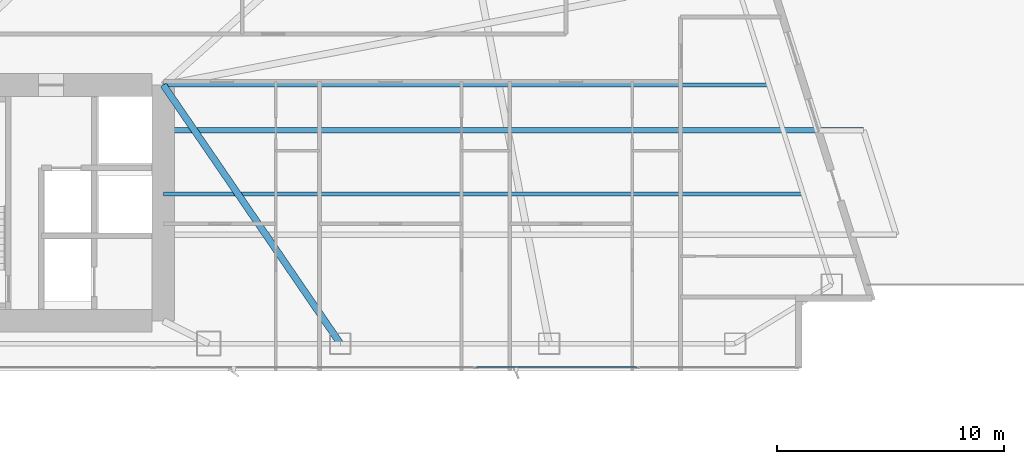
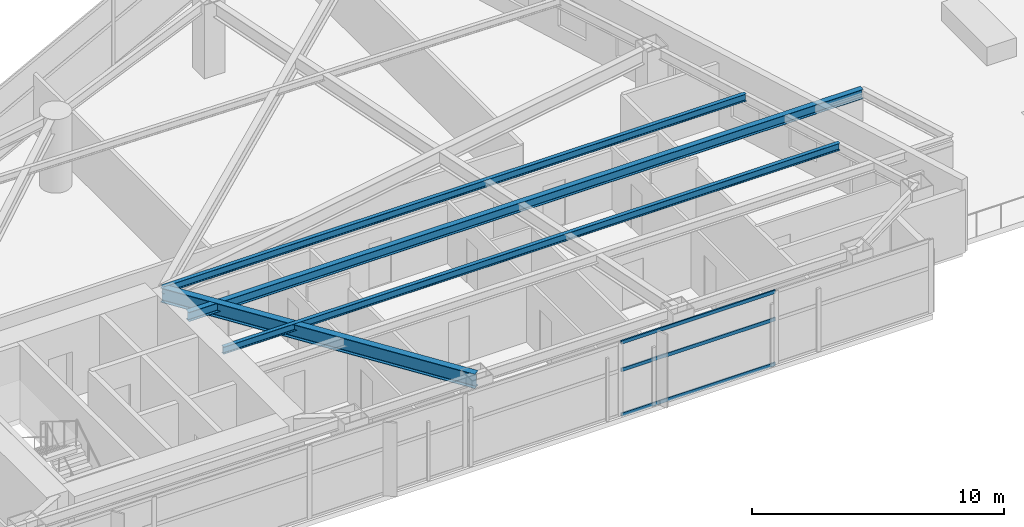
# One storey, part 13 of 30: 4 beams, 3 members, 1 element without a shape of its own.
"""IFC4 building model written with IfcOpenShell, lengths in metres."""

from ifc_helpers import new_model, si_unit, direction, frame, origin, origin_2d, place, context, subcontext, project, spatial, hollow_rectangle, i_section, extrude, material, layer, layer_set, material_profile, profile_set, type_object, element, aggregate, save


model = new_model("IFC4")

# Units and contexts
model_context = context("Model", 3, precision=1e-05, world=origin(), true_north=direction((0.0, 1.0)))
body_context = subcontext(model_context, "Body", "Model", "MODEL_VIEW")
ifc_project = project(units=[si_unit("LENGTHUNIT", "METRE"), si_unit("AREAUNIT", "SQUARE_METRE"), si_unit("VOLUMEUNIT", "CUBIC_METRE"), si_unit("PLANEANGLEUNIT", "RADIAN"), si_unit("MASSUNIT", "GRAM", prefix="KILO")], contexts=[model_context])

# Site, building, storey
site_placement = place(None, origin())
site = spatial("IfcSite", under=ifc_project, at=site_placement, CompositionType="ELEMENT")
building_placement = place(site_placement, origin())
building = spatial("IfcBuilding", under=site, at=building_placement, Name="Calvorn Quay Hotel", CompositionType="ELEMENT")
storey_placement = place(building_placement, frame((0.0, 0.0, 27.0)))
storey = spatial("IfcBuildingStorey", under=building, at=storey_placement, Name="L05", CompositionType="ELEMENT", Elevation=27.0)

# Beams
ifc_material_1 = material(Name="Steel Q355B", Category="steel")
ifc_material_profile_1 = material_profile(ifc_material_1, i_section(OverallWidth=0.25, OverallDepth=0.449951171875, WebThickness=0.011962890625, FlangeThickness=0.01611328125, FilletRadius=0.01611328125, at=origin_2d()), Name="HN450x250x12x16")
ifc_profile_set_1 = profile_set([ifc_material_profile_1], Name="Steel Q355B")
beam_type_1 = type_object("IfcBeamType", Name="BM-CANT-BALC", PredefinedType="BEAM", material=ifc_profile_set_1)
beam_1_placement = place(storey_placement, frame((32.39990234375, 13.0, 3.31494140625), z_axis=(1.0, 0.0, 0.0), x_axis=(0.0, 1.0, 0.0)))
element("IfcBeam", 1, at=beam_1_placement, inside=storey, type_object=beam_type_1, Name="Cantilever Balcony Beam BCB-L06-1B", PredefinedType="BEAM", context=body_context, shape_type="SweptSolid", body=[
    extrude(i_section(OverallWidth=0.25, OverallDepth=0.449951171875, WebThickness=0.011962890625, FlangeThickness=0.01611328125, FilletRadius=0.01611328125, at=origin_2d()), origin(), (0.0, 0.0, 1.0), 30.858154296875),
])
ifc_material_2 = material(Name="Steel Q390GJC", Category="steel")
ifc_material_profile_2 = material_profile(ifc_material_2, i_section(OverallWidth=0.300048828125, OverallDepth=0.699951171875, WebThickness=0.012939453125, FlangeThickness=0.02392578125, FilletRadius=0.02392578125, at=origin_2d()), Name="HN700x300x13x24")
ifc_profile_set_2 = profile_set([ifc_material_profile_2], Name="Steel Q390GJC")
beam_type_2 = type_object("IfcBeamType", Name="BM-GIRD-MAIN", PredefinedType="BEAM", material=ifc_profile_set_2)
beam_2_placement = place(storey_placement, frame((40.199951171875, 3.60009765625, 3.18994140625), z_axis=(-0.564689618177, 0.825303359452, 0.0), x_axis=(-0.825303359452, -0.564689618177, 0.0)))
element("IfcBeam", 2, at=beam_2_placement, inside=storey, type_object=beam_type_2, Name="Beam BG-L05-E6", PredefinedType="BEAM", context=body_context, shape_type="SweptSolid", body=[
    extrude(i_section(OverallWidth=0.300048828125, OverallDepth=0.699951171875, WebThickness=0.012939453125, FlangeThickness=0.02392578125, FilletRadius=0.02392578125, at=origin_2d()), origin(), (0.0, 0.0, 1.0), 13.81298828125),
])
ifc_material_3 = material(Name="Steel Q355B", Category="steel")
ifc_material_profile_3 = material_profile(ifc_material_3, i_section(OverallWidth=0.175048828125, OverallDepth=0.35009765625, WebThickness=0.007080078125, FlangeThickness=0.010986328125, FilletRadius=0.013916015625, at=origin_2d()), Name="HN350x175x7x11")
ifc_profile_set_3 = profile_set([ifc_material_profile_3], Name="Steel Q355B")
beam_type_3 = type_object("IfcBeamType", Name="BM-JOIST-SEC", PredefinedType="JOIST", material=ifc_profile_set_3)
beam_3_placement = place(storey_placement, frame((32.39990234375, 10.199951171875, 3.364990234375), z_axis=(1.0, 0.0, 0.0), x_axis=(0.0, 1.0, 0.0)))
element("IfcBeam", 3, at=beam_3_placement, inside=storey, type_object=beam_type_3, Name="Beam BJ-L05-E1", PredefinedType="JOIST", context=body_context, shape_type="SweptSolid", body=[
    extrude(i_section(OverallWidth=0.175048828125, OverallDepth=0.35009765625, WebThickness=0.007080078125, FlangeThickness=0.010986328125, FilletRadius=0.013916015625, at=origin_2d()), origin(), (0.0, 0.0, 1.0), 28.201171875),
])
beam_4_placement = place(storey_placement, frame((32.39990234375, 15.0, 3.364990234375), z_axis=(1.0, 0.0, 0.0), x_axis=(0.0, 1.0, 0.0)))
element("IfcBeam", 4, at=beam_4_placement, inside=storey, type_object=beam_type_3, Name="Beam BJ-L05-E2", PredefinedType="JOIST", context=body_context, shape_type="SweptSolid", body=[
    extrude(i_section(OverallWidth=0.175048828125, OverallDepth=0.35009765625, WebThickness=0.007080078125, FlangeThickness=0.010986328125, FilletRadius=0.013916015625, at=origin_2d()), origin(), (0.0, 0.0, 1.0), 26.68798828125),
])

# Curtain wall, members
ifc_material_4 = material(Name="Pale Anodised Aluminium and Low-E Glass", Category="aluminium")
ifc_layer = layer(ifc_material_4, 0.219970703125)
ifc_layer_set = layer_set([ifc_layer], Name="CW-SYS-Z1")
curtain_wall_type = type_object("IfcCurtainWallType", Name="CW-SYS-Z1", PredefinedType="NOTDEFINED", material=ifc_layer_set)
curtain_wall_placement = place(storey_placement, origin())
curtain_wall = element("IfcCurtainWall", 5, at=curtain_wall_placement, inside=storey, type_object=curtain_wall_type, Name="Tower South Waterfront Curtain Wall (L05)", PredefinedType="NOTDEFINED")
ifc_material_5 = material(Name="Pale Anodised Aluminium 6063-T6", Category="aluminium")
ifc_material_profile_4 = material_profile(ifc_material_5, hollow_rectangle(XDim=0.06494140625, YDim=0.1650390625, WallThickness=0.00341796875, at=origin_2d()), Name="ALU-T165x65x3.5")
ifc_profile_set_4 = profile_set([ifc_material_profile_4], Name="Pale Anodised Aluminium 6063-T6")
member_type = type_object("IfcMemberType", Name="CW-SYS-Z1-TRN", PredefinedType="USERDEFINED", material=ifc_profile_set_4)
member_1_placement = place(storey_placement, frame((46.201416015625, 2.550048828125, 0.030029296875), z_axis=(1.0, 0.0, 0.0), x_axis=(0.0, 1.0, 0.0)))
member_1 = element("IfcMember", 6, at=member_1_placement, type_object=member_type, Name="CW-L05-S transom 6.1", ObjectType="TRANSOM", PredefinedType="USERDEFINED", context=body_context, shape_type="SweptSolid", body=[
    extrude(hollow_rectangle(XDim=0.06494140625, YDim=0.1650390625, WallThickness=0.00341796875, at=origin_2d()), origin(), (0.0, 0.0, 1.0), 7.05419921875),
])
member_2_placement = place(storey_placement, frame((46.201416015625, 2.550048828125, 2.199951171875), z_axis=(1.0, 0.0, 0.0), x_axis=(0.0, 1.0, 0.0)))
member_2 = element("IfcMember", 7, at=member_2_placement, type_object=member_type, Name="CW-L05-S transom 6.2", ObjectType="TRANSOM", PredefinedType="USERDEFINED", context=body_context, shape_type="SweptSolid", body=[
    extrude(hollow_rectangle(XDim=0.06494140625, YDim=0.1650390625, WallThickness=0.00341796875, at=origin_2d()), origin(), (0.0, 0.0, 1.0), 7.05419921875),
])
member_3_placement = place(storey_placement, frame((46.201416015625, 2.550048828125, 3.530029296875), z_axis=(1.0, 0.0, 0.0), x_axis=(0.0, 1.0, 0.0)))
member_3 = element("IfcMember", 8, at=member_3_placement, type_object=member_type, Name="CW-L05-S transom 6.3", ObjectType="TRANSOM", PredefinedType="USERDEFINED", context=body_context, shape_type="SweptSolid", body=[
    extrude(hollow_rectangle(XDim=0.06494140625, YDim=0.1650390625, WallThickness=0.00341796875, at=origin_2d()), origin(), (0.0, 0.0, 1.0), 7.05419921875),
])
aggregate(curtain_wall, [member_1, member_2, member_3])

save(model, "model.ifc")
